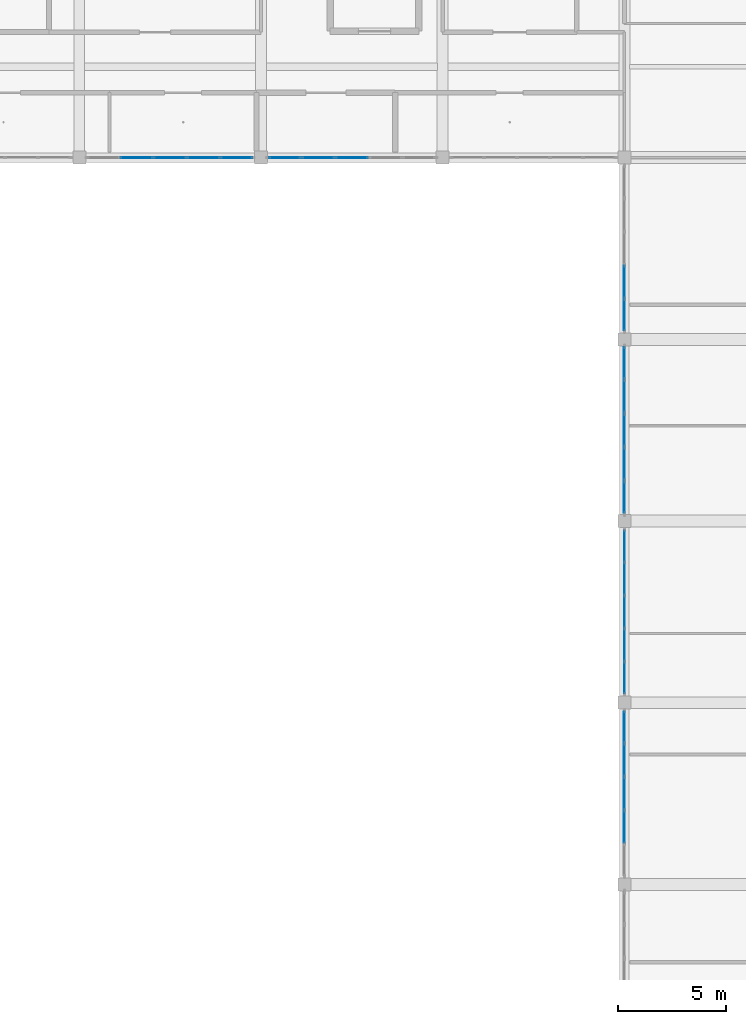
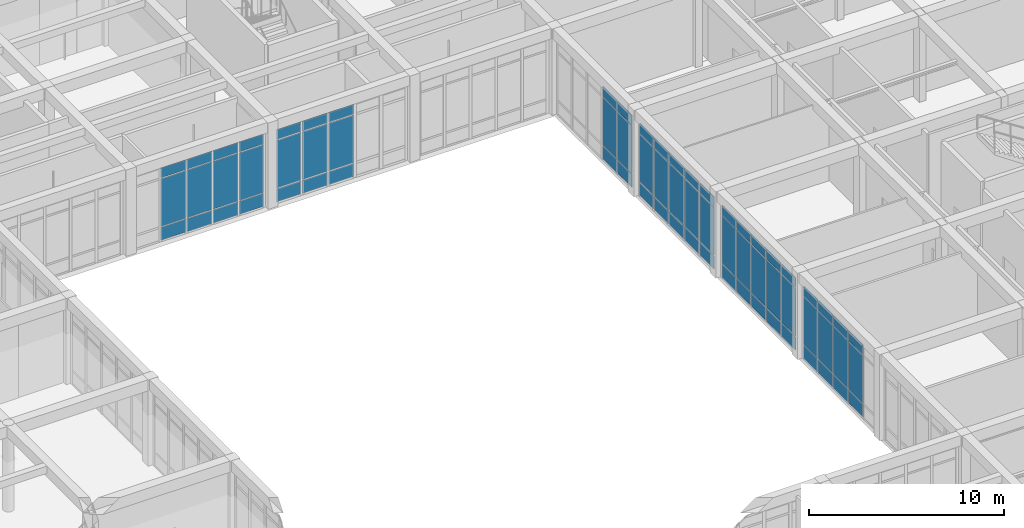
# One storey, part 73 of 157: 69 plates, 6 elements without a shape of their own.
"""IFC4 building model written with IfcOpenShell, lengths in metres."""

from ifc_helpers import new_model, si_unit, direction, frame, origin, origin_2d, place, context, subcontext, project, spatial, rectangle, extrude, material, layer, layer_set, type_object, element, aggregate, save


model = new_model("IFC4")

# Units and contexts
model_context = context("Model", 3, precision=1e-05, world=origin(), true_north=direction((0.0, 1.0)))
body_context = subcontext(model_context, "Body", "Model", "MODEL_VIEW")
ifc_project = project(units=[si_unit("LENGTHUNIT", "METRE"), si_unit("AREAUNIT", "SQUARE_METRE"), si_unit("VOLUMEUNIT", "CUBIC_METRE"), si_unit("PLANEANGLEUNIT", "RADIAN"), si_unit("MASSUNIT", "GRAM", prefix="KILO")], contexts=[model_context])

# Site, building, storey
site_placement = place(None, origin())
site = spatial("IfcSite", under=ifc_project, at=site_placement, CompositionType="ELEMENT")
building_placement = place(site_placement, origin())
building = spatial("IfcBuilding", under=site, at=building_placement, Name="Varncliffe General Hospital", CompositionType="ELEMENT")
storey_placement = place(building_placement, frame((0.0, 0.0, 5.39990234375)))
storey = spatial("IfcBuildingStorey", under=building, at=storey_placement, Name="L01", CompositionType="ELEMENT", Elevation=5.39990234375)

# Curtain wall, plates
ifc_material = material(Name="Triple low-E argon insulated vision glazing", Category="glass")
curtain_wall_type_1 = type_object("IfcCurtainWallType", Name="Unitised Glazed Curtain Wall CW70 (7724x4640)", PredefinedType="USERDEFINED", material=ifc_material)
curtain_wall_1_placement = place(storey_placement, origin())
curtain_wall_1 = element("IfcCurtainWall", 1, at=curtain_wall_1_placement, inside=storey, type_object=curtain_wall_type_1, Name="L01 Glazed Curtain Wall CW70-64", ObjectType="GLAZED CURTAIN WALL", PredefinedType="USERDEFINED")
ifc_layer_1 = layer(ifc_material, 0.0439453125)
ifc_layer_set_1 = layer_set([ifc_layer_1], Name="Triple low-E argon insulated vision glazing")
plate_type_1 = type_object("IfcPlateType", Name="Curtain Wall Glazing Panel CP12 (44mm)", PredefinedType="CURTAIN_PANEL", material=ifc_layer_set_1)
plate_1_placement = place(storey_placement, frame((151.199951171875, 51.855224609375, 0.06005859375), z_axis=(0.0, 0.0, 1.0), x_axis=(0.0, 1.0, 0.0)))
plate_1 = element("IfcPlate", 2, at=plate_1_placement, type_object=plate_type_1, Name="CW70 panel 2.1", PredefinedType="CURTAIN_PANEL", context=body_context, shape_type="SweptSolid", body=[
    extrude(rectangle(XDim=1.4697265625, YDim=0.0439453125, at=origin_2d()), origin(), (0.0, 0.0, 1.0), 0.81005859375),
])
plate_2_placement = place(storey_placement, frame((151.199951171875, 51.855224609375, 0.93017578125), z_axis=(0.0, 0.0, 1.0), x_axis=(0.0, 1.0, 0.0)))
plate_2 = element("IfcPlate", 3, at=plate_2_placement, type_object=plate_type_1, Name="CW70 panel 2.2", PredefinedType="CURTAIN_PANEL", context=body_context, shape_type="SweptSolid", body=[
    extrude(rectangle(XDim=1.4697265625, YDim=0.0439453125, at=origin_2d()), origin(), (0.0, 0.0, 1.0), 2.97998046875),
])
plate_3_placement = place(storey_placement, frame((151.199951171875, 51.855224609375, 3.97021484375), z_axis=(0.0, 0.0, 1.0), x_axis=(0.0, 1.0, 0.0)))
plate_3 = element("IfcPlate", 4, at=plate_3_placement, type_object=plate_type_1, Name="CW70 panel 2.3", PredefinedType="CURTAIN_PANEL", context=body_context, shape_type="SweptSolid", body=[
    extrude(rectangle(XDim=1.4697265625, YDim=0.0439453125, at=origin_2d()), origin(), (0.0, 0.0, 1.0), 0.610107421875),
])
plate_4_placement = place(storey_placement, frame((151.199951171875, 53.39990234375, 0.06005859375), z_axis=(0.0, 0.0, 1.0), x_axis=(0.0, 1.0, 0.0)))
plate_4 = element("IfcPlate", 5, at=plate_4_placement, type_object=plate_type_1, Name="CW70 panel 3.1", PredefinedType="CURTAIN_PANEL", context=body_context, shape_type="SweptSolid", body=[
    extrude(rectangle(XDim=1.4697265625, YDim=0.0439453125, at=origin_2d()), origin(), (0.0, 0.0, 1.0), 0.81005859375),
])
plate_5_placement = place(storey_placement, frame((151.199951171875, 53.39990234375, 0.93017578125), z_axis=(0.0, 0.0, 1.0), x_axis=(0.0, 1.0, 0.0)))
plate_5 = element("IfcPlate", 6, at=plate_5_placement, type_object=plate_type_1, Name="CW70 panel 3.2", PredefinedType="CURTAIN_PANEL", context=body_context, shape_type="SweptSolid", body=[
    extrude(rectangle(XDim=1.4697265625, YDim=0.0439453125, at=origin_2d()), origin(), (0.0, 0.0, 1.0), 2.97998046875),
])
plate_6_placement = place(storey_placement, frame((151.199951171875, 53.39990234375, 3.97021484375), z_axis=(0.0, 0.0, 1.0), x_axis=(0.0, 1.0, 0.0)))
plate_6 = element("IfcPlate", 7, at=plate_6_placement, type_object=plate_type_1, Name="CW70 panel 3.3", PredefinedType="CURTAIN_PANEL", context=body_context, shape_type="SweptSolid", body=[
    extrude(rectangle(XDim=1.4697265625, YDim=0.0439453125, at=origin_2d()), origin(), (0.0, 0.0, 1.0), 0.610107421875),
])
plate_7_placement = place(storey_placement, frame((151.199951171875, 54.94482421875, 0.06005859375), z_axis=(0.0, 0.0, 1.0), x_axis=(0.0, 1.0, 0.0)))
plate_7 = element("IfcPlate", 8, at=plate_7_placement, type_object=plate_type_1, Name="CW70 panel 4.1", PredefinedType="CURTAIN_PANEL", context=body_context, shape_type="SweptSolid", body=[
    extrude(rectangle(XDim=1.4697265625, YDim=0.0439453125, at=origin_2d()), origin(), (0.0, 0.0, 1.0), 0.81005859375),
])
plate_8_placement = place(storey_placement, frame((151.199951171875, 54.94482421875, 0.93017578125), z_axis=(0.0, 0.0, 1.0), x_axis=(0.0, 1.0, 0.0)))
plate_8 = element("IfcPlate", 9, at=plate_8_placement, type_object=plate_type_1, Name="CW70 panel 4.2", PredefinedType="CURTAIN_PANEL", context=body_context, shape_type="SweptSolid", body=[
    extrude(rectangle(XDim=1.4697265625, YDim=0.0439453125, at=origin_2d()), origin(), (0.0, 0.0, 1.0), 2.97998046875),
])
plate_9_placement = place(storey_placement, frame((151.199951171875, 54.94482421875, 3.97021484375), z_axis=(0.0, 0.0, 1.0), x_axis=(0.0, 1.0, 0.0)))
plate_9 = element("IfcPlate", 10, at=plate_9_placement, type_object=plate_type_1, Name="CW70 panel 4.3", PredefinedType="CURTAIN_PANEL", context=body_context, shape_type="SweptSolid", body=[
    extrude(rectangle(XDim=1.4697265625, YDim=0.0439453125, at=origin_2d()), origin(), (0.0, 0.0, 1.0), 0.610107421875),
])
plate_10_placement = place(storey_placement, frame((151.199951171875, 56.470947265625, 0.06005859375), z_axis=(0.0, 0.0, 1.0), x_axis=(0.0, 1.0, 0.0)))
plate_10 = element("IfcPlate", 11, at=plate_10_placement, type_object=plate_type_1, Name="CW70 panel 5.1", PredefinedType="CURTAIN_PANEL", context=body_context, shape_type="SweptSolid", body=[
    extrude(rectangle(XDim=1.432373046875, YDim=0.0439453125, at=origin_2d()), origin(), (0.0, 0.0, 1.0), 0.81005859375),
])
plate_11_placement = place(storey_placement, frame((151.199951171875, 56.470947265625, 0.93017578125), z_axis=(0.0, 0.0, 1.0), x_axis=(0.0, 1.0, 0.0)))
plate_11 = element("IfcPlate", 12, at=plate_11_placement, type_object=plate_type_1, Name="CW70 panel 5.2", PredefinedType="CURTAIN_PANEL", context=body_context, shape_type="SweptSolid", body=[
    extrude(rectangle(XDim=1.432373046875, YDim=0.0439453125, at=origin_2d()), origin(), (0.0, 0.0, 1.0), 2.97998046875),
])
plate_12_placement = place(storey_placement, frame((151.199951171875, 56.470947265625, 3.97021484375), z_axis=(0.0, 0.0, 1.0), x_axis=(0.0, 1.0, 0.0)))
plate_12 = element("IfcPlate", 13, at=plate_12_placement, type_object=plate_type_1, Name="CW70 panel 5.3", PredefinedType="CURTAIN_PANEL", context=body_context, shape_type="SweptSolid", body=[
    extrude(rectangle(XDim=1.432373046875, YDim=0.0439453125, at=origin_2d()), origin(), (0.0, 0.0, 1.0), 0.610107421875),
])
aggregate(curtain_wall_1, [plate_1, plate_2, plate_3, plate_4, plate_5, plate_6, plate_7, plate_8, plate_9, plate_10, plate_11, plate_12])

curtain_wall_2_placement = place(storey_placement, origin())
curtain_wall_2 = element("IfcCurtainWall", 14, at=curtain_wall_2_placement, inside=storey, type_object=curtain_wall_type_1, Name="L01 Glazed Curtain Wall CW70-67", ObjectType="GLAZED CURTAIN WALL", PredefinedType="USERDEFINED")
plate_13_placement = place(storey_placement, frame((151.199951171875, 75.529052734375, 0.06005859375), z_axis=(0.0, 0.0, 1.0), x_axis=(0.0, 1.0, 0.0)))
plate_13 = element("IfcPlate", 15, at=plate_13_placement, type_object=plate_type_1, Name="CW70 panel 1.1", PredefinedType="CURTAIN_PANEL", context=body_context, shape_type="SweptSolid", body=[
    extrude(rectangle(XDim=1.432373046875, YDim=0.0439453125, at=origin_2d()), origin(), (0.0, 0.0, 1.0), 0.81005859375),
])
plate_14_placement = place(storey_placement, frame((151.199951171875, 75.529052734375, 0.93017578125), z_axis=(0.0, 0.0, 1.0), x_axis=(0.0, 1.0, 0.0)))
plate_14 = element("IfcPlate", 16, at=plate_14_placement, type_object=plate_type_1, Name="CW70 panel 1.2", PredefinedType="CURTAIN_PANEL", context=body_context, shape_type="SweptSolid", body=[
    extrude(rectangle(XDim=1.432373046875, YDim=0.0439453125, at=origin_2d()), origin(), (0.0, 0.0, 1.0), 2.97998046875),
])
plate_15_placement = place(storey_placement, frame((151.199951171875, 75.529052734375, 3.97021484375), z_axis=(0.0, 0.0, 1.0), x_axis=(0.0, 1.0, 0.0)))
plate_15 = element("IfcPlate", 17, at=plate_15_placement, type_object=plate_type_1, Name="CW70 panel 1.3", PredefinedType="CURTAIN_PANEL", context=body_context, shape_type="SweptSolid", body=[
    extrude(rectangle(XDim=1.432373046875, YDim=0.0439453125, at=origin_2d()), origin(), (0.0, 0.0, 1.0), 0.610107421875),
])
plate_16_placement = place(storey_placement, frame((151.199951171875, 77.05517578125, 0.06005859375), z_axis=(0.0, 0.0, 1.0), x_axis=(0.0, 1.0, 0.0)))
plate_16 = element("IfcPlate", 18, at=plate_16_placement, type_object=plate_type_1, Name="CW70 panel 2.1", PredefinedType="CURTAIN_PANEL", context=body_context, shape_type="SweptSolid", body=[
    extrude(rectangle(XDim=1.4697265625, YDim=0.0439453125, at=origin_2d()), origin(), (0.0, 0.0, 1.0), 0.81005859375),
])
plate_17_placement = place(storey_placement, frame((151.199951171875, 77.05517578125, 0.93017578125), z_axis=(0.0, 0.0, 1.0), x_axis=(0.0, 1.0, 0.0)))
plate_17 = element("IfcPlate", 19, at=plate_17_placement, type_object=plate_type_1, Name="CW70 panel 2.2", PredefinedType="CURTAIN_PANEL", context=body_context, shape_type="SweptSolid", body=[
    extrude(rectangle(XDim=1.4697265625, YDim=0.0439453125, at=origin_2d()), origin(), (0.0, 0.0, 1.0), 2.97998046875),
])
plate_18_placement = place(storey_placement, frame((151.199951171875, 77.05517578125, 3.97021484375), z_axis=(0.0, 0.0, 1.0), x_axis=(0.0, 1.0, 0.0)))
plate_18 = element("IfcPlate", 20, at=plate_18_placement, type_object=plate_type_1, Name="CW70 panel 2.3", PredefinedType="CURTAIN_PANEL", context=body_context, shape_type="SweptSolid", body=[
    extrude(rectangle(XDim=1.4697265625, YDim=0.0439453125, at=origin_2d()), origin(), (0.0, 0.0, 1.0), 0.610107421875),
])
aggregate(curtain_wall_2, [plate_13, plate_14, plate_15, plate_16, plate_17, plate_18])

curtain_wall_3_placement = place(storey_placement, origin())
curtain_wall_3 = element("IfcCurtainWall", 21, at=curtain_wall_3_placement, inside=storey, type_object=curtain_wall_type_1, Name="L01 Glazed Curtain Wall CW70-70", ObjectType="GLAZED CURTAIN WALL", PredefinedType="USERDEFINED")
plate_19_placement = place(storey_placement, frame((133.270751953125, 82.800048828125, 0.06005859375), z_axis=(0.0, 0.0, 1.0), x_axis=(-1.0, 0.0, 0.0)))
plate_19 = element("IfcPlate", 22, at=plate_19_placement, type_object=plate_type_1, Name="CW70 panel 1.1", PredefinedType="CURTAIN_PANEL", context=body_context, shape_type="SweptSolid", body=[
    extrude(rectangle(XDim=1.432373046875, YDim=0.0439453125, at=origin_2d()), origin(), (0.0, 0.0, 1.0), 0.81005859375),
])
plate_20_placement = place(storey_placement, frame((133.270751953125, 82.800048828125, 0.93017578125), z_axis=(0.0, 0.0, 1.0), x_axis=(-1.0, 0.0, 0.0)))
plate_20 = element("IfcPlate", 23, at=plate_20_placement, type_object=plate_type_1, Name="CW70 panel 1.2", PredefinedType="CURTAIN_PANEL", context=body_context, shape_type="SweptSolid", body=[
    extrude(rectangle(XDim=1.432373046875, YDim=0.0439453125, at=origin_2d()), origin(), (0.0, 0.0, 1.0), 2.97998046875),
])
plate_21_placement = place(storey_placement, frame((133.270751953125, 82.800048828125, 3.97021484375), z_axis=(0.0, 0.0, 1.0), x_axis=(-1.0, 0.0, 0.0)))
plate_21 = element("IfcPlate", 24, at=plate_21_placement, type_object=plate_type_1, Name="CW70 panel 1.3", PredefinedType="CURTAIN_PANEL", context=body_context, shape_type="SweptSolid", body=[
    extrude(rectangle(XDim=1.432373046875, YDim=0.0439453125, at=origin_2d()), origin(), (0.0, 0.0, 1.0), 0.610107421875),
])
plate_22_placement = place(storey_placement, frame((131.744873046875, 82.800048828125, 0.06005859375), z_axis=(0.0, 0.0, 1.0), x_axis=(-1.0, 0.0, 0.0)))
plate_22 = element("IfcPlate", 25, at=plate_22_placement, type_object=plate_type_1, Name="CW70 panel 2.1", PredefinedType="CURTAIN_PANEL", context=body_context, shape_type="SweptSolid", body=[
    extrude(rectangle(XDim=1.4697265625, YDim=0.0439453125, at=origin_2d()), origin(), (0.0, 0.0, 1.0), 0.81005859375),
])
plate_23_placement = place(storey_placement, frame((131.744873046875, 82.800048828125, 0.93017578125), z_axis=(0.0, 0.0, 1.0), x_axis=(-1.0, 0.0, 0.0)))
plate_23 = element("IfcPlate", 26, at=plate_23_placement, type_object=plate_type_1, Name="CW70 panel 2.2", PredefinedType="CURTAIN_PANEL", context=body_context, shape_type="SweptSolid", body=[
    extrude(rectangle(XDim=1.4697265625, YDim=0.0439453125, at=origin_2d()), origin(), (0.0, 0.0, 1.0), 2.97998046875),
])
plate_24_placement = place(storey_placement, frame((131.744873046875, 82.800048828125, 3.97021484375), z_axis=(0.0, 0.0, 1.0), x_axis=(-1.0, 0.0, 0.0)))
plate_24 = element("IfcPlate", 27, at=plate_24_placement, type_object=plate_type_1, Name="CW70 panel 2.3", PredefinedType="CURTAIN_PANEL", context=body_context, shape_type="SweptSolid", body=[
    extrude(rectangle(XDim=1.4697265625, YDim=0.0439453125, at=origin_2d()), origin(), (0.0, 0.0, 1.0), 0.610107421875),
])
plate_25_placement = place(storey_placement, frame((130.199951171875, 82.800048828125, 0.06005859375), z_axis=(0.0, 0.0, 1.0), x_axis=(-1.0, 0.0, 0.0)))
plate_25 = element("IfcPlate", 28, at=plate_25_placement, type_object=plate_type_1, Name="CW70 panel 3.1", PredefinedType="CURTAIN_PANEL", context=body_context, shape_type="SweptSolid", body=[
    extrude(rectangle(XDim=1.4697265625, YDim=0.0439453125, at=origin_2d()), origin(), (0.0, 0.0, 1.0), 0.81005859375),
])
plate_26_placement = place(storey_placement, frame((130.199951171875, 82.800048828125, 0.93017578125), z_axis=(0.0, 0.0, 1.0), x_axis=(-1.0, 0.0, 0.0)))
plate_26 = element("IfcPlate", 29, at=plate_26_placement, type_object=plate_type_1, Name="CW70 panel 3.2", PredefinedType="CURTAIN_PANEL", context=body_context, shape_type="SweptSolid", body=[
    extrude(rectangle(XDim=1.4697265625, YDim=0.0439453125, at=origin_2d()), origin(), (0.0, 0.0, 1.0), 2.97998046875),
])
plate_27_placement = place(storey_placement, frame((130.199951171875, 82.800048828125, 3.97021484375), z_axis=(0.0, 0.0, 1.0), x_axis=(-1.0, 0.0, 0.0)))
plate_27 = element("IfcPlate", 30, at=plate_27_placement, type_object=plate_type_1, Name="CW70 panel 3.3", PredefinedType="CURTAIN_PANEL", context=body_context, shape_type="SweptSolid", body=[
    extrude(rectangle(XDim=1.4697265625, YDim=0.0439453125, at=origin_2d()), origin(), (0.0, 0.0, 1.0), 0.610107421875),
])
plate_28_placement = place(storey_placement, frame((128.6552734375, 82.800048828125, 0.06005859375), z_axis=(0.0, 0.0, 1.0), x_axis=(-1.0, 0.0, 0.0)))
plate_28 = element("IfcPlate", 31, at=plate_28_placement, type_object=plate_type_1, Name="CW70 panel 4.1", PredefinedType="CURTAIN_PANEL", context=body_context, shape_type="SweptSolid", body=[
    extrude(rectangle(XDim=1.4697265625, YDim=0.0439453125, at=origin_2d()), origin(), (0.0, 0.0, 1.0), 0.81005859375),
])
plate_29_placement = place(storey_placement, frame((128.6552734375, 82.800048828125, 0.93017578125), z_axis=(0.0, 0.0, 1.0), x_axis=(-1.0, 0.0, 0.0)))
plate_29 = element("IfcPlate", 32, at=plate_29_placement, type_object=plate_type_1, Name="CW70 panel 4.2", PredefinedType="CURTAIN_PANEL", context=body_context, shape_type="SweptSolid", body=[
    extrude(rectangle(XDim=1.4697265625, YDim=0.0439453125, at=origin_2d()), origin(), (0.0, 0.0, 1.0), 2.97998046875),
])
plate_30_placement = place(storey_placement, frame((128.6552734375, 82.800048828125, 3.97021484375), z_axis=(0.0, 0.0, 1.0), x_axis=(-1.0, 0.0, 0.0)))
plate_30 = element("IfcPlate", 33, at=plate_30_placement, type_object=plate_type_1, Name="CW70 panel 4.3", PredefinedType="CURTAIN_PANEL", context=body_context, shape_type="SweptSolid", body=[
    extrude(rectangle(XDim=1.4697265625, YDim=0.0439453125, at=origin_2d()), origin(), (0.0, 0.0, 1.0), 0.610107421875),
])
aggregate(curtain_wall_3, [plate_19, plate_20, plate_21, plate_22, plate_23, plate_24, plate_25, plate_26, plate_27, plate_28, plate_29, plate_30])

curtain_wall_type_2 = type_object("IfcCurtainWallType", Name="Unitised Glazed Curtain Wall CW85 (7804x4640)", PredefinedType="USERDEFINED", material=ifc_material)
curtain_wall_4_placement = place(storey_placement, origin())
curtain_wall_4 = element("IfcCurtainWall", 34, at=curtain_wall_4_placement, inside=storey, type_object=curtain_wall_type_2, Name="L01 Glazed Curtain Wall CW85-66", ObjectType="GLAZED CURTAIN WALL", PredefinedType="USERDEFINED")
ifc_layer_2 = layer(ifc_material, 0.035888671875)
ifc_layer_set_2 = layer_set([ifc_layer_2], Name="Triple low-E argon insulated vision glazing")
plate_type_2 = type_object("IfcPlateType", Name="Curtain Wall Glazing Panel CP27 (36mm)", PredefinedType="CURTAIN_PANEL", material=ifc_layer_set_2)
plate_31_placement = place(storey_placement, frame((151.199951171875, 67.09716796875, 0.06494140625), z_axis=(0.0, 0.0, 1.0), x_axis=(0.0, 1.0, 0.0)))
plate_31 = element("IfcPlate", 35, at=plate_31_placement, type_object=plate_type_2, Name="CW85 panel 1.1", PredefinedType="CURTAIN_PANEL", context=body_context, shape_type="SweptSolid", body=[
    extrude(rectangle(XDim=1.4482421875, YDim=0.035888671875, at=origin_2d()), origin(), (0.0, 0.0, 1.0), 0.802490234375),
])
plate_32_placement = place(storey_placement, frame((151.199951171875, 67.09716796875, 0.9326171875), z_axis=(0.0, 0.0, 1.0), x_axis=(0.0, 1.0, 0.0)))
plate_32 = element("IfcPlate", 36, at=plate_32_placement, type_object=plate_type_2, Name="CW85 panel 1.2", PredefinedType="CURTAIN_PANEL", context=body_context, shape_type="SweptSolid", body=[
    extrude(rectangle(XDim=1.4482421875, YDim=0.035888671875, at=origin_2d()), origin(), (0.0, 0.0, 1.0), 2.97509765625),
])
plate_33_placement = place(storey_placement, frame((151.199951171875, 67.09716796875, 3.97265625), z_axis=(0.0, 0.0, 1.0), x_axis=(0.0, 1.0, 0.0)))
plate_33 = element("IfcPlate", 37, at=plate_33_placement, type_object=plate_type_2, Name="CW85 panel 1.3", PredefinedType="CURTAIN_PANEL", context=body_context, shape_type="SweptSolid", body=[
    extrude(rectangle(XDim=1.4482421875, YDim=0.035888671875, at=origin_2d()), origin(), (0.0, 0.0, 1.0), 0.6025390625),
])
plate_34_placement = place(storey_placement, frame((151.199951171875, 68.63916015625, 0.06494140625), z_axis=(0.0, 0.0, 1.0), x_axis=(0.0, 1.0, 0.0)))
plate_34 = element("IfcPlate", 38, at=plate_34_placement, type_object=plate_type_2, Name="CW85 panel 2.1", PredefinedType="CURTAIN_PANEL", context=body_context, shape_type="SweptSolid", body=[
    extrude(rectangle(XDim=1.48583984375, YDim=0.035888671875, at=origin_2d()), origin(), (0.0, 0.0, 1.0), 0.802490234375),
])
plate_35_placement = place(storey_placement, frame((151.199951171875, 68.63916015625, 0.9326171875), z_axis=(0.0, 0.0, 1.0), x_axis=(0.0, 1.0, 0.0)))
plate_35 = element("IfcPlate", 39, at=plate_35_placement, type_object=plate_type_2, Name="CW85 panel 2.2", PredefinedType="CURTAIN_PANEL", context=body_context, shape_type="SweptSolid", body=[
    extrude(rectangle(XDim=1.48583984375, YDim=0.035888671875, at=origin_2d()), origin(), (0.0, 0.0, 1.0), 2.97509765625),
])
plate_36_placement = place(storey_placement, frame((151.199951171875, 68.63916015625, 3.97265625), z_axis=(0.0, 0.0, 1.0), x_axis=(0.0, 1.0, 0.0)))
plate_36 = element("IfcPlate", 40, at=plate_36_placement, type_object=plate_type_2, Name="CW85 panel 2.3", PredefinedType="CURTAIN_PANEL", context=body_context, shape_type="SweptSolid", body=[
    extrude(rectangle(XDim=1.48583984375, YDim=0.035888671875, at=origin_2d()), origin(), (0.0, 0.0, 1.0), 0.6025390625),
])
plate_37_placement = place(storey_placement, frame((151.199951171875, 70.199951171875, 0.06494140625), z_axis=(0.0, 0.0, 1.0), x_axis=(0.0, 1.0, 0.0)))
plate_37 = element("IfcPlate", 41, at=plate_37_placement, type_object=plate_type_2, Name="CW85 panel 3.1", PredefinedType="CURTAIN_PANEL", context=body_context, shape_type="SweptSolid", body=[
    extrude(rectangle(XDim=1.48583984375, YDim=0.035888671875, at=origin_2d()), origin(), (0.0, 0.0, 1.0), 0.802490234375),
])
plate_38_placement = place(storey_placement, frame((151.199951171875, 70.199951171875, 0.9326171875), z_axis=(0.0, 0.0, 1.0), x_axis=(0.0, 1.0, 0.0)))
plate_38 = element("IfcPlate", 42, at=plate_38_placement, type_object=plate_type_2, Name="CW85 panel 3.2", PredefinedType="CURTAIN_PANEL", context=body_context, shape_type="SweptSolid", body=[
    extrude(rectangle(XDim=1.48583984375, YDim=0.035888671875, at=origin_2d()), origin(), (0.0, 0.0, 1.0), 2.97509765625),
])
plate_39_placement = place(storey_placement, frame((151.199951171875, 70.199951171875, 3.97265625), z_axis=(0.0, 0.0, 1.0), x_axis=(0.0, 1.0, 0.0)))
plate_39 = element("IfcPlate", 43, at=plate_39_placement, type_object=plate_type_2, Name="CW85 panel 3.3", PredefinedType="CURTAIN_PANEL", context=body_context, shape_type="SweptSolid", body=[
    extrude(rectangle(XDim=1.48583984375, YDim=0.035888671875, at=origin_2d()), origin(), (0.0, 0.0, 1.0), 0.6025390625),
])
plate_40_placement = place(storey_placement, frame((151.199951171875, 71.7607421875, 0.06494140625), z_axis=(0.0, 0.0, 1.0), x_axis=(0.0, 1.0, 0.0)))
plate_40 = element("IfcPlate", 44, at=plate_40_placement, type_object=plate_type_2, Name="CW85 panel 4.1", PredefinedType="CURTAIN_PANEL", context=body_context, shape_type="SweptSolid", body=[
    extrude(rectangle(XDim=1.48583984375, YDim=0.035888671875, at=origin_2d()), origin(), (0.0, 0.0, 1.0), 0.802490234375),
])
plate_41_placement = place(storey_placement, frame((151.199951171875, 71.7607421875, 0.9326171875), z_axis=(0.0, 0.0, 1.0), x_axis=(0.0, 1.0, 0.0)))
plate_41 = element("IfcPlate", 45, at=plate_41_placement, type_object=plate_type_2, Name="CW85 panel 4.2", PredefinedType="CURTAIN_PANEL", context=body_context, shape_type="SweptSolid", body=[
    extrude(rectangle(XDim=1.48583984375, YDim=0.035888671875, at=origin_2d()), origin(), (0.0, 0.0, 1.0), 2.97509765625),
])
plate_42_placement = place(storey_placement, frame((151.199951171875, 71.7607421875, 3.97265625), z_axis=(0.0, 0.0, 1.0), x_axis=(0.0, 1.0, 0.0)))
plate_42 = element("IfcPlate", 46, at=plate_42_placement, type_object=plate_type_2, Name="CW85 panel 4.3", PredefinedType="CURTAIN_PANEL", context=body_context, shape_type="SweptSolid", body=[
    extrude(rectangle(XDim=1.48583984375, YDim=0.035888671875, at=origin_2d()), origin(), (0.0, 0.0, 1.0), 0.6025390625),
])
plate_43_placement = place(storey_placement, frame((151.199951171875, 73.302734375, 0.06494140625), z_axis=(0.0, 0.0, 1.0), x_axis=(0.0, 1.0, 0.0)))
plate_43 = element("IfcPlate", 47, at=plate_43_placement, type_object=plate_type_2, Name="CW85 panel 5.1", PredefinedType="CURTAIN_PANEL", context=body_context, shape_type="SweptSolid", body=[
    extrude(rectangle(XDim=1.4482421875, YDim=0.035888671875, at=origin_2d()), origin(), (0.0, 0.0, 1.0), 0.802490234375),
])
plate_44_placement = place(storey_placement, frame((151.199951171875, 73.302734375, 0.9326171875), z_axis=(0.0, 0.0, 1.0), x_axis=(0.0, 1.0, 0.0)))
plate_44 = element("IfcPlate", 48, at=plate_44_placement, type_object=plate_type_2, Name="CW85 panel 5.2", PredefinedType="CURTAIN_PANEL", context=body_context, shape_type="SweptSolid", body=[
    extrude(rectangle(XDim=1.4482421875, YDim=0.035888671875, at=origin_2d()), origin(), (0.0, 0.0, 1.0), 2.97509765625),
])
plate_45_placement = place(storey_placement, frame((151.199951171875, 73.302734375, 3.97265625), z_axis=(0.0, 0.0, 1.0), x_axis=(0.0, 1.0, 0.0)))
plate_45 = element("IfcPlate", 49, at=plate_45_placement, type_object=plate_type_2, Name="CW85 panel 5.3", PredefinedType="CURTAIN_PANEL", context=body_context, shape_type="SweptSolid", body=[
    extrude(rectangle(XDim=1.4482421875, YDim=0.035888671875, at=origin_2d()), origin(), (0.0, 0.0, 1.0), 0.6025390625),
])
aggregate(curtain_wall_4, [plate_31, plate_32, plate_33, plate_34, plate_35, plate_36, plate_37, plate_38, plate_39, plate_40, plate_41, plate_42, plate_43, plate_44, plate_45])

curtain_wall_5_placement = place(storey_placement, origin())
curtain_wall_5 = element("IfcCurtainWall", 50, at=curtain_wall_5_placement, inside=storey, type_object=curtain_wall_type_2, Name="L01 Glazed Curtain Wall CW85-69", ObjectType="GLAZED CURTAIN WALL", PredefinedType="USERDEFINED")
plate_46_placement = place(storey_placement, frame((138.60009765625, 82.800048828125, 0.06494140625), z_axis=(0.0, 0.0, 1.0), x_axis=(-1.0, 0.0, 0.0)))
plate_46 = element("IfcPlate", 51, at=plate_46_placement, type_object=plate_type_2, Name="CW85 panel 3.1", PredefinedType="CURTAIN_PANEL", context=body_context, shape_type="SweptSolid", body=[
    extrude(rectangle(XDim=1.48583984375, YDim=0.035888671875, at=origin_2d()), origin(), (0.0, 0.0, 1.0), 0.802490234375),
])
plate_47_placement = place(storey_placement, frame((138.60009765625, 82.800048828125, 0.9326171875), z_axis=(0.0, 0.0, 1.0), x_axis=(-1.0, 0.0, 0.0)))
plate_47 = element("IfcPlate", 52, at=plate_47_placement, type_object=plate_type_2, Name="CW85 panel 3.2", PredefinedType="CURTAIN_PANEL", context=body_context, shape_type="SweptSolid", body=[
    extrude(rectangle(XDim=1.48583984375, YDim=0.035888671875, at=origin_2d()), origin(), (0.0, 0.0, 1.0), 2.97509765625),
])
plate_48_placement = place(storey_placement, frame((138.60009765625, 82.800048828125, 3.97265625), z_axis=(0.0, 0.0, 1.0), x_axis=(-1.0, 0.0, 0.0)))
plate_48 = element("IfcPlate", 53, at=plate_48_placement, type_object=plate_type_2, Name="CW85 panel 3.3", PredefinedType="CURTAIN_PANEL", context=body_context, shape_type="SweptSolid", body=[
    extrude(rectangle(XDim=1.48583984375, YDim=0.035888671875, at=origin_2d()), origin(), (0.0, 0.0, 1.0), 0.6025390625),
])
plate_49_placement = place(storey_placement, frame((137.039306640625, 82.800048828125, 0.06494140625), z_axis=(0.0, 0.0, 1.0), x_axis=(-1.0, 0.0, 0.0)))
plate_49 = element("IfcPlate", 54, at=plate_49_placement, type_object=plate_type_2, Name="CW85 panel 4.1", PredefinedType="CURTAIN_PANEL", context=body_context, shape_type="SweptSolid", body=[
    extrude(rectangle(XDim=1.48583984375, YDim=0.035888671875, at=origin_2d()), origin(), (0.0, 0.0, 1.0), 0.802490234375),
])
plate_50_placement = place(storey_placement, frame((137.039306640625, 82.800048828125, 0.9326171875), z_axis=(0.0, 0.0, 1.0), x_axis=(-1.0, 0.0, 0.0)))
plate_50 = element("IfcPlate", 55, at=plate_50_placement, type_object=plate_type_2, Name="CW85 panel 4.2", PredefinedType="CURTAIN_PANEL", context=body_context, shape_type="SweptSolid", body=[
    extrude(rectangle(XDim=1.48583984375, YDim=0.035888671875, at=origin_2d()), origin(), (0.0, 0.0, 1.0), 2.97509765625),
])
plate_51_placement = place(storey_placement, frame((137.039306640625, 82.800048828125, 3.97265625), z_axis=(0.0, 0.0, 1.0), x_axis=(-1.0, 0.0, 0.0)))
plate_51 = element("IfcPlate", 56, at=plate_51_placement, type_object=plate_type_2, Name="CW85 panel 4.3", PredefinedType="CURTAIN_PANEL", context=body_context, shape_type="SweptSolid", body=[
    extrude(rectangle(XDim=1.48583984375, YDim=0.035888671875, at=origin_2d()), origin(), (0.0, 0.0, 1.0), 0.6025390625),
])
plate_52_placement = place(storey_placement, frame((135.4970703125, 82.800048828125, 0.06494140625), z_axis=(0.0, 0.0, 1.0), x_axis=(-1.0, 0.0, 0.0)))
plate_52 = element("IfcPlate", 57, at=plate_52_placement, type_object=plate_type_2, Name="CW85 panel 5.1", PredefinedType="CURTAIN_PANEL", context=body_context, shape_type="SweptSolid", body=[
    extrude(rectangle(XDim=1.4482421875, YDim=0.035888671875, at=origin_2d()), origin(), (0.0, 0.0, 1.0), 0.802490234375),
])
plate_53_placement = place(storey_placement, frame((135.4970703125, 82.800048828125, 0.9326171875), z_axis=(0.0, 0.0, 1.0), x_axis=(-1.0, 0.0, 0.0)))
plate_53 = element("IfcPlate", 58, at=plate_53_placement, type_object=plate_type_2, Name="CW85 panel 5.2", PredefinedType="CURTAIN_PANEL", context=body_context, shape_type="SweptSolid", body=[
    extrude(rectangle(XDim=1.4482421875, YDim=0.035888671875, at=origin_2d()), origin(), (0.0, 0.0, 1.0), 2.97509765625),
])
plate_54_placement = place(storey_placement, frame((135.4970703125, 82.800048828125, 3.97265625), z_axis=(0.0, 0.0, 1.0), x_axis=(-1.0, 0.0, 0.0)))
plate_54 = element("IfcPlate", 59, at=plate_54_placement, type_object=plate_type_2, Name="CW85 panel 5.3", PredefinedType="CURTAIN_PANEL", context=body_context, shape_type="SweptSolid", body=[
    extrude(rectangle(XDim=1.4482421875, YDim=0.035888671875, at=origin_2d()), origin(), (0.0, 0.0, 1.0), 0.6025390625),
])
aggregate(curtain_wall_5, [plate_46, plate_47, plate_48, plate_49, plate_50, plate_51, plate_52, plate_53, plate_54])

curtain_wall_type_3 = type_object("IfcCurtainWallType", Name="Unitised Glazed Curtain Wall CW27 (7644x4640)", PredefinedType="USERDEFINED", material=ifc_material)
curtain_wall_6_placement = place(storey_placement, origin())
curtain_wall_6 = element("IfcCurtainWall", 60, at=curtain_wall_6_placement, inside=storey, type_object=curtain_wall_type_3, Name="L01 Glazed Curtain Wall CW27-65", ObjectType="GLAZED CURTAIN WALL", PredefinedType="USERDEFINED")
ifc_layer_3 = layer(ifc_material, 0.028076171875)
ifc_layer_set_3 = layer_set([ifc_layer_3], Name="Triple low-E argon insulated vision glazing")
plate_type_3 = type_object("IfcPlateType", Name="Curtain Wall Glazing Panel CP48 (28mm)", PredefinedType="CURTAIN_PANEL", material=ifc_layer_set_3)
plate_55_placement = place(storey_placement, frame((151.199951171875, 58.758544921875, 0.06005859375), z_axis=(0.0, 0.0, 1.0), x_axis=(0.0, 1.0, 0.0)))
plate_55 = element("IfcPlate", 61, at=plate_55_placement, type_object=plate_type_3, Name="CW27 panel 1.1", PredefinedType="CURTAIN_PANEL", context=body_context, shape_type="SweptSolid", body=[
    extrude(rectangle(XDim=1.431396484375, YDim=0.028076171875, at=origin_2d()), origin(), (0.0, 0.0, 1.0), 0.81005859375),
])
plate_56_placement = place(storey_placement, frame((151.199951171875, 58.758544921875, 0.93017578125), z_axis=(0.0, 0.0, 1.0), x_axis=(0.0, 1.0, 0.0)))
plate_56 = element("IfcPlate", 62, at=plate_56_placement, type_object=plate_type_3, Name="CW27 panel 1.2", PredefinedType="CURTAIN_PANEL", context=body_context, shape_type="SweptSolid", body=[
    extrude(rectangle(XDim=1.431396484375, YDim=0.028076171875, at=origin_2d()), origin(), (0.0, 0.0, 1.0), 2.97998046875),
])
plate_57_placement = place(storey_placement, frame((151.199951171875, 58.758544921875, 3.97021484375), z_axis=(0.0, 0.0, 1.0), x_axis=(0.0, 1.0, 0.0)))
plate_57 = element("IfcPlate", 63, at=plate_57_placement, type_object=plate_type_3, Name="CW27 panel 1.3", PredefinedType="CURTAIN_PANEL", context=body_context, shape_type="SweptSolid", body=[
    extrude(rectangle(XDim=1.431396484375, YDim=0.028076171875, at=origin_2d()), origin(), (0.0, 0.0, 1.0), 0.610107421875),
])
plate_58_placement = place(storey_placement, frame((151.199951171875, 60.271240234375, 0.06005859375), z_axis=(0.0, 0.0, 1.0), x_axis=(0.0, 1.0, 0.0)))
plate_58 = element("IfcPlate", 64, at=plate_58_placement, type_object=plate_type_3, Name="CW27 panel 2.1", PredefinedType="CURTAIN_PANEL", context=body_context, shape_type="SweptSolid", body=[
    extrude(rectangle(XDim=1.4638671875, YDim=0.028076171875, at=origin_2d()), origin(), (0.0, 0.0, 1.0), 0.81005859375),
])
plate_59_placement = place(storey_placement, frame((151.199951171875, 60.271240234375, 0.93017578125), z_axis=(0.0, 0.0, 1.0), x_axis=(0.0, 1.0, 0.0)))
plate_59 = element("IfcPlate", 65, at=plate_59_placement, type_object=plate_type_3, Name="CW27 panel 2.2", PredefinedType="CURTAIN_PANEL", context=body_context, shape_type="SweptSolid", body=[
    extrude(rectangle(XDim=1.4638671875, YDim=0.028076171875, at=origin_2d()), origin(), (0.0, 0.0, 1.0), 2.97998046875),
])
plate_60_placement = place(storey_placement, frame((151.199951171875, 60.271240234375, 3.97021484375), z_axis=(0.0, 0.0, 1.0), x_axis=(0.0, 1.0, 0.0)))
plate_60 = element("IfcPlate", 66, at=plate_60_placement, type_object=plate_type_3, Name="CW27 panel 2.3", PredefinedType="CURTAIN_PANEL", context=body_context, shape_type="SweptSolid", body=[
    extrude(rectangle(XDim=1.4638671875, YDim=0.028076171875, at=origin_2d()), origin(), (0.0, 0.0, 1.0), 0.610107421875),
])
plate_61_placement = place(storey_placement, frame((151.199951171875, 61.800048828125, 0.06005859375), z_axis=(0.0, 0.0, 1.0), x_axis=(0.0, 1.0, 0.0)))
plate_61 = element("IfcPlate", 67, at=plate_61_placement, type_object=plate_type_3, Name="CW27 panel 3.1", PredefinedType="CURTAIN_PANEL", context=body_context, shape_type="SweptSolid", body=[
    extrude(rectangle(XDim=1.4638671875, YDim=0.028076171875, at=origin_2d()), origin(), (0.0, 0.0, 1.0), 0.81005859375),
])
plate_62_placement = place(storey_placement, frame((151.199951171875, 61.800048828125, 0.93017578125), z_axis=(0.0, 0.0, 1.0), x_axis=(0.0, 1.0, 0.0)))
plate_62 = element("IfcPlate", 68, at=plate_62_placement, type_object=plate_type_3, Name="CW27 panel 3.2", PredefinedType="CURTAIN_PANEL", context=body_context, shape_type="SweptSolid", body=[
    extrude(rectangle(XDim=1.4638671875, YDim=0.028076171875, at=origin_2d()), origin(), (0.0, 0.0, 1.0), 2.97998046875),
])
plate_63_placement = place(storey_placement, frame((151.199951171875, 61.800048828125, 3.97021484375), z_axis=(0.0, 0.0, 1.0), x_axis=(0.0, 1.0, 0.0)))
plate_63 = element("IfcPlate", 69, at=plate_63_placement, type_object=plate_type_3, Name="CW27 panel 3.3", PredefinedType="CURTAIN_PANEL", context=body_context, shape_type="SweptSolid", body=[
    extrude(rectangle(XDim=1.4638671875, YDim=0.028076171875, at=origin_2d()), origin(), (0.0, 0.0, 1.0), 0.610107421875),
])
plate_64_placement = place(storey_placement, frame((151.199951171875, 63.328857421875, 0.06005859375), z_axis=(0.0, 0.0, 1.0), x_axis=(0.0, 1.0, 0.0)))
plate_64 = element("IfcPlate", 70, at=plate_64_placement, type_object=plate_type_3, Name="CW27 panel 4.1", PredefinedType="CURTAIN_PANEL", context=body_context, shape_type="SweptSolid", body=[
    extrude(rectangle(XDim=1.4638671875, YDim=0.028076171875, at=origin_2d()), origin(), (0.0, 0.0, 1.0), 0.81005859375),
])
plate_65_placement = place(storey_placement, frame((151.199951171875, 63.328857421875, 0.93017578125), z_axis=(0.0, 0.0, 1.0), x_axis=(0.0, 1.0, 0.0)))
plate_65 = element("IfcPlate", 71, at=plate_65_placement, type_object=plate_type_3, Name="CW27 panel 4.2", PredefinedType="CURTAIN_PANEL", context=body_context, shape_type="SweptSolid", body=[
    extrude(rectangle(XDim=1.4638671875, YDim=0.028076171875, at=origin_2d()), origin(), (0.0, 0.0, 1.0), 2.97998046875),
])
plate_66_placement = place(storey_placement, frame((151.199951171875, 63.328857421875, 3.97021484375), z_axis=(0.0, 0.0, 1.0), x_axis=(0.0, 1.0, 0.0)))
plate_66 = element("IfcPlate", 72, at=plate_66_placement, type_object=plate_type_3, Name="CW27 panel 4.3", PredefinedType="CURTAIN_PANEL", context=body_context, shape_type="SweptSolid", body=[
    extrude(rectangle(XDim=1.4638671875, YDim=0.028076171875, at=origin_2d()), origin(), (0.0, 0.0, 1.0), 0.610107421875),
])
plate_67_placement = place(storey_placement, frame((151.199951171875, 64.84130859375, 0.06005859375), z_axis=(0.0, 0.0, 1.0), x_axis=(0.0, 1.0, 0.0)))
plate_67 = element("IfcPlate", 73, at=plate_67_placement, type_object=plate_type_3, Name="CW27 panel 5.1", PredefinedType="CURTAIN_PANEL", context=body_context, shape_type="SweptSolid", body=[
    extrude(rectangle(XDim=1.431396484375, YDim=0.028076171875, at=origin_2d()), origin(), (0.0, 0.0, 1.0), 0.81005859375),
])
plate_68_placement = place(storey_placement, frame((151.199951171875, 64.84130859375, 0.93017578125), z_axis=(0.0, 0.0, 1.0), x_axis=(0.0, 1.0, 0.0)))
plate_68 = element("IfcPlate", 74, at=plate_68_placement, type_object=plate_type_3, Name="CW27 panel 5.2", PredefinedType="CURTAIN_PANEL", context=body_context, shape_type="SweptSolid", body=[
    extrude(rectangle(XDim=1.431396484375, YDim=0.028076171875, at=origin_2d()), origin(), (0.0, 0.0, 1.0), 2.97998046875),
])
plate_69_placement = place(storey_placement, frame((151.199951171875, 64.84130859375, 3.97021484375), z_axis=(0.0, 0.0, 1.0), x_axis=(0.0, 1.0, 0.0)))
plate_69 = element("IfcPlate", 75, at=plate_69_placement, type_object=plate_type_3, Name="CW27 panel 5.3", PredefinedType="CURTAIN_PANEL", context=body_context, shape_type="SweptSolid", body=[
    extrude(rectangle(XDim=1.431396484375, YDim=0.028076171875, at=origin_2d()), origin(), (0.0, 0.0, 1.0), 0.610107421875),
])
aggregate(curtain_wall_6, [plate_55, plate_56, plate_57, plate_58, plate_59, plate_60, plate_61, plate_62, plate_63, plate_64, plate_65, plate_66, plate_67, plate_68, plate_69])

save(model, "model.ifc")
